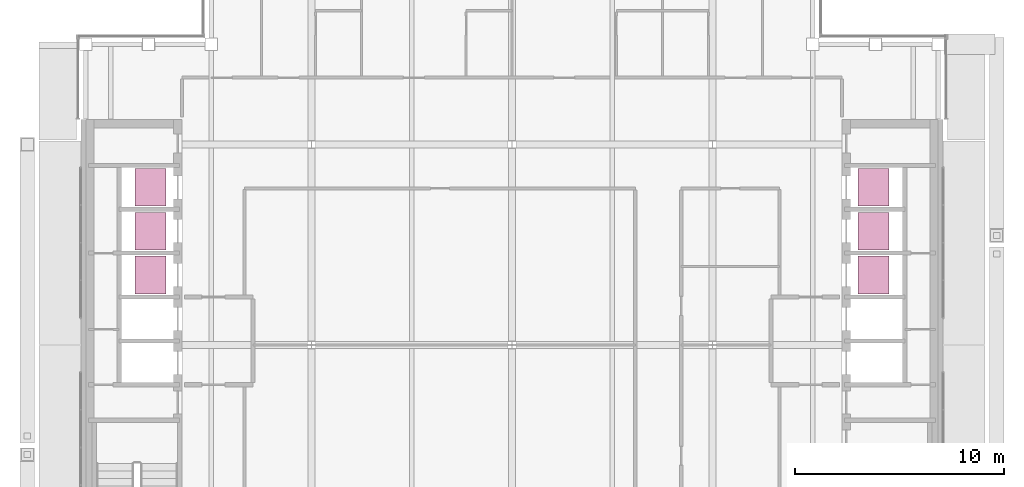
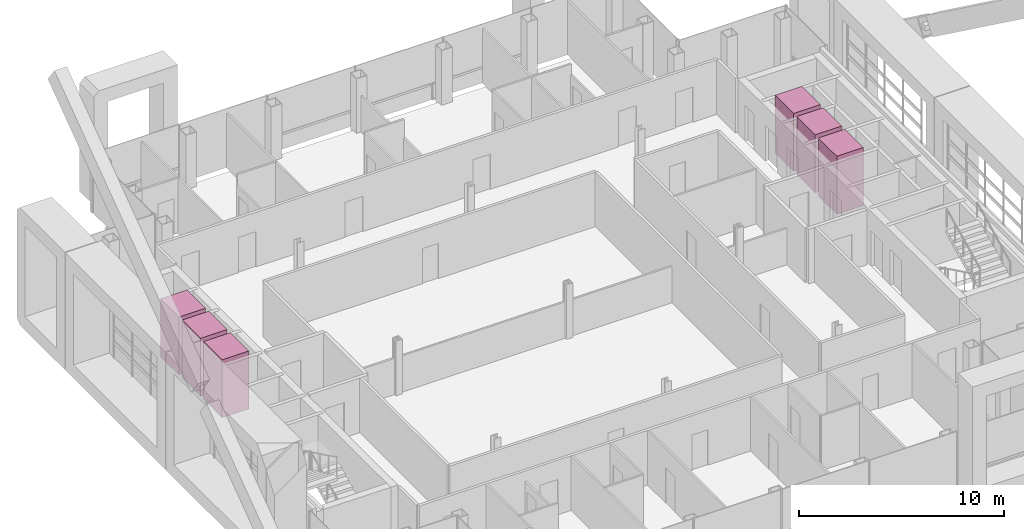
# One storey, part 23 of 23: 6 transport elements.
"""IFC4 building model written with IfcOpenShell, lengths in metres."""

from ifc_helpers import new_model, si_unit, direction, frame, origin, origin_2d, place, context, subcontext, project, spatial, rectangle, extrude, material, type_object, element, save


model = new_model("IFC4")

# Units and contexts
model_context = context("Model", 3, precision=1e-05, world=origin(), true_north=direction((0.0, 1.0)))
body_context = subcontext(model_context, "Body", "Model", "MODEL_VIEW")
ifc_project = project(units=[si_unit("LENGTHUNIT", "METRE"), si_unit("AREAUNIT", "SQUARE_METRE"), si_unit("VOLUMEUNIT", "CUBIC_METRE"), si_unit("PLANEANGLEUNIT", "RADIAN"), si_unit("MASSUNIT", "GRAM", prefix="KILO")], contexts=[model_context])

# Site, building, storey
site_placement = place(None, origin())
site = spatial("IfcSite", under=ifc_project, at=site_placement, CompositionType="ELEMENT")
building_placement = place(site_placement, origin())
building = spatial("IfcBuilding", under=site, at=building_placement, Name="Cobrizo Arcos Hotel Tower", CompositionType="ELEMENT")
storey_placement = place(building_placement, frame((0.0, 0.0, 262.0)))
storey = spatial("IfcBuildingStorey", under=building, at=storey_placement, Name="L69", CompositionType="ELEMENT", Elevation=262.0)

# Transport elements
ifc_material = material(Name="Stainless steel car", Category="steel")
transport_element_type = type_object("IfcTransportElementType", Name="Lift car High 1.8x1.5", PredefinedType="ELEVATOR", material=ifc_material)
for number, where, z_axis, x_axis, name in (
    (1, (-17.300048828125, 3.35009765625, 0.0), (0.0, 0.0, 1.0), (1.0, 0.0, 0.0), "High-rise passenger lift W1"),
    (2, (-17.300048828125, 5.449951171875, 0.0), (0.0, 0.0, 1.0), (1.0, 0.0, 0.0), "High-rise passenger lift W2"),
    (3, (-17.300048828125, 7.550048828125, 0.0), (0.0, 0.0, 1.0), (1.0, 0.0, 0.0), "High-rise passenger lift W3"),
    (4, (17.300048828125, 3.35009765625, 0.0), (0.0, 0.0, 1.0), (1.0, 0.0, 0.0), "High-rise passenger lift E1"),
    (5, (17.300048828125, 5.449951171875, 0.0), (0.0, 0.0, 1.0), (1.0, 0.0, 0.0), "High-rise passenger lift E2"),
    (6, (17.300048828125, 7.550048828125, 0.0), (0.0, 0.0, 1.0), (1.0, 0.0, 0.0), "High-rise passenger lift E3"),
):
    element("IfcTransportElement", number, at=place(storey_placement, frame(where, z_axis=z_axis, x_axis=x_axis)), inside=storey, type_object=transport_element_type, Name=name, PredefinedType="ELEVATOR", context=body_context, shape_type="SweptSolid", body=[
        extrude(rectangle(XDim=1.5, YDim=1.800048828125, at=origin_2d()), origin(), (0.0, 0.0, 1.0), 3.449951171875),
    ])

save(model, "model.ifc")
